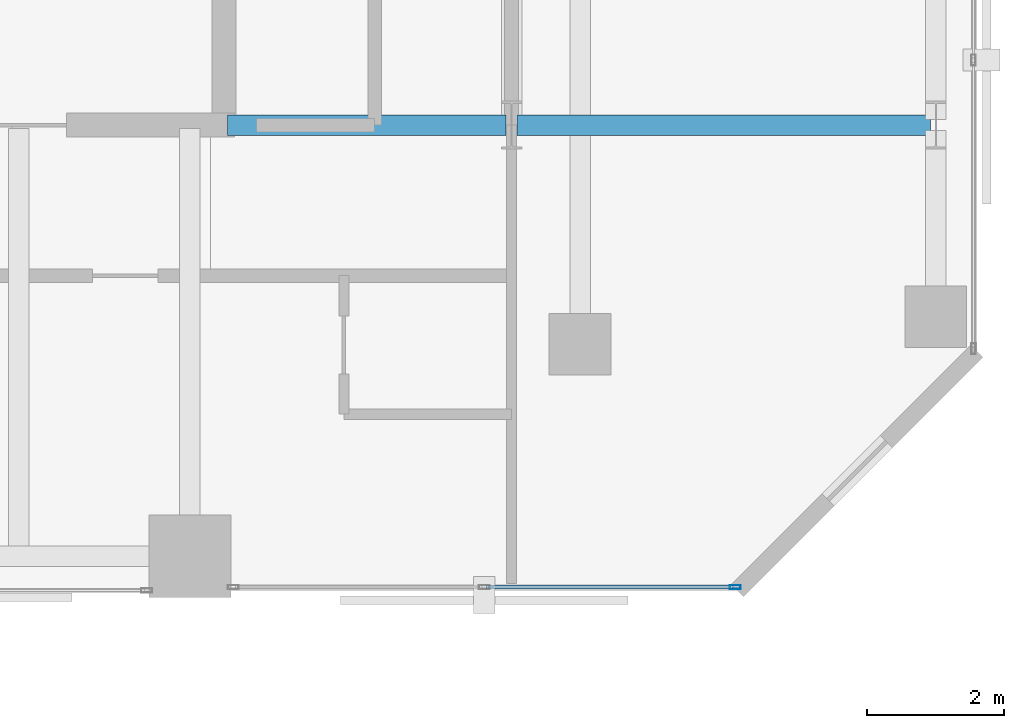
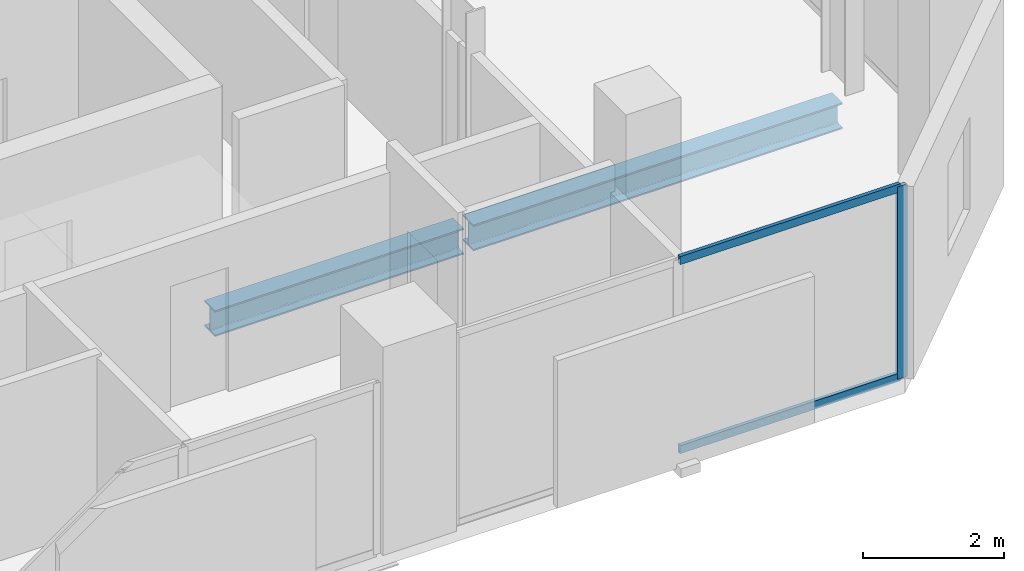
# One storey, part 15 of 33: 3 members, 2 beams, 1 element without a shape of its own.
"""IFC4 building model written with IfcOpenShell, lengths in metres."""

from ifc_helpers import new_model, si_unit, direction, frame, origin, origin_2d, place, context, subcontext, project, spatial, hollow_rectangle, i_section, extrude, material, layer, layer_set, material_profile, profile_set, type_object, element, aggregate, save


model = new_model("IFC4")

# Units and contexts
model_context = context("Model", 3, precision=1e-05, world=origin(), true_north=direction((0.0, 1.0)))
body_context = subcontext(model_context, "Body", "Model", "MODEL_VIEW")
ifc_project = project(units=[si_unit("LENGTHUNIT", "METRE"), si_unit("AREAUNIT", "SQUARE_METRE"), si_unit("VOLUMEUNIT", "CUBIC_METRE"), si_unit("PLANEANGLEUNIT", "RADIAN"), si_unit("MASSUNIT", "GRAM", prefix="KILO")], contexts=[model_context])

# Site, building, storey
site_placement = place(None, origin())
site = spatial("IfcSite", under=ifc_project, at=site_placement, CompositionType="ELEMENT")
building_placement = place(site_placement, origin())
building = spatial("IfcBuilding", under=site, at=building_placement, Name="Catumbela Crestline Tower", CompositionType="ELEMENT")
storey_placement = place(building_placement, frame((0.0, 0.0, 108.0)))
storey = spatial("IfcBuildingStorey", under=building, at=storey_placement, Name="L27", CompositionType="ELEMENT", Elevation=108.0)

# Beams
ifc_material_1 = material(Name="Structural steel S355J2", Category="steel")
ifc_material_profile_1 = material_profile(ifc_material_1, i_section(OverallWidth=0.3, OverallDepth=0.45, WebThickness=0.014, FlangeThickness=0.026, FilletRadius=0.027, at=origin_2d()), Name="HEB 450")
ifc_profile_set_1 = profile_set([ifc_material_profile_1], Name="Structural steel S355J2")
beam_type = type_object("IfcBeamType", Name="BG-HEB450", PredefinedType="BEAM", material=ifc_profile_set_1)
beam_1_placement = place(storey_placement, frame((40.05, 30.8, -0.485), z_axis=(1.0, 0.0, 0.0), x_axis=(0.0, 1.0, 0.0)))
element("IfcBeam", 1, at=beam_1_placement, inside=storey, type_object=beam_type, Name="L27 Beam BM-L27-M10", PredefinedType="BEAM", context=body_context, shape_type="SweptSolid", body=[
    extrude(i_section(OverallWidth=0.3, OverallDepth=0.45, WebThickness=0.014, FlangeThickness=0.026, FilletRadius=0.027, at=origin_2d()), origin(), (0.0, 0.0, 1.0), 4.07),
])
beam_2_placement = place(storey_placement, frame((44.28, 30.8, -0.485), z_axis=(1.0, 0.0, 0.0), x_axis=(0.0, 1.0, 0.0)))
element("IfcBeam", 2, at=beam_2_placement, inside=storey, type_object=beam_type, Name="L27 Beam BM-L27-M11", PredefinedType="BEAM", context=body_context, shape_type="SweptSolid", body=[
    extrude(i_section(OverallWidth=0.3, OverallDepth=0.45, WebThickness=0.014, FlangeThickness=0.026, FilletRadius=0.027, at=origin_2d()), origin(), (0.0, 0.0, 1.0), 6.04),
])

# Curtain wall, members
ifc_material_2 = material(Name="Aluminium alloy AW-6060-T66", Category="aluminium")
ifc_layer = layer(ifc_material_2, 0.18, Name="Aluminium alloy AW-6060-T66")
ifc_layer_set = layer_set([ifc_layer], Name="Aluminium alloy AW-6060-T66")
curtain_wall_type = type_object("IfcCurtainWallType", Name="CWU-Z2", PredefinedType="USERDEFINED", material=ifc_layer_set)
curtain_wall_placement = place(storey_placement, origin())
curtain_wall = element("IfcCurtainWall", 3, at=curtain_wall_placement, inside=storey, type_object=curtain_wall_type, Name="L27 Unitised Curtain Wall CW-L27-E3S3", ObjectType="UNITISED", PredefinedType="USERDEFINED")
ifc_material_profile_2 = material_profile(ifc_material_2, hollow_rectangle(XDim=0.06, YDim=0.16, WallThickness=0.004, at=origin_2d()), Name="ALU 160x60x4")
ifc_profile_set_2 = profile_set([ifc_material_profile_2], Name="Aluminium alloy AW-6060-T66")
member_type_1 = type_object("IfcMemberType", Name="MUL-160X60", PredefinedType="MULLION", material=ifc_profile_set_2)
member_1_placement = place(storey_placement, frame((47.4675, 24.05, 0.0), z_axis=(0.0, 0.0, 1.0), x_axis=(0.0, 1.0, 0.0)))
member_1 = element("IfcMember", 4, at=member_1_placement, type_object=member_type_1, Name="CWU-Z2 mullion 3", PredefinedType="MULLION", context=body_context, shape_type="SweptSolid", body=[
    extrude(hollow_rectangle(XDim=0.06, YDim=0.16, WallThickness=0.004, at=origin_2d()), origin(), (0.0, 0.0, 1.0), 3.33),
])
ifc_material_profile_3 = material_profile(ifc_material_2, hollow_rectangle(XDim=0.06, YDim=0.14, WallThickness=0.004, at=origin_2d()), Name="ALU 140x60x4")
ifc_profile_set_3 = profile_set([ifc_material_profile_3], Name="Aluminium alloy AW-6060-T66")
member_type_2 = type_object("IfcMemberType", Name="TRN-140X60", PredefinedType="USERDEFINED", material=ifc_profile_set_3)
member_2_placement = place(storey_placement, frame((43.8325, 24.05, 0.03), z_axis=(1.0, 0.0, 0.0), x_axis=(0.0, 1.0, 0.0)))
member_2 = element("IfcMember", 5, at=member_2_placement, type_object=member_type_2, Name="CWU-Z2 transom 2.1", ObjectType="TRANSOM", PredefinedType="USERDEFINED", context=body_context, shape_type="SweptSolid", body=[
    extrude(hollow_rectangle(XDim=0.06, YDim=0.14, WallThickness=0.004, at=origin_2d()), origin(), (0.0, 0.0, 1.0), 3.6025),
])
member_3_placement = place(storey_placement, frame((43.8325, 24.05, 3.3), z_axis=(1.0, 0.0, 0.0), x_axis=(0.0, 1.0, 0.0)))
member_3 = element("IfcMember", 6, at=member_3_placement, type_object=member_type_2, Name="CWU-Z2 transom 2.2", ObjectType="TRANSOM", PredefinedType="USERDEFINED", context=body_context, shape_type="SweptSolid", body=[
    extrude(hollow_rectangle(XDim=0.06, YDim=0.14, WallThickness=0.004, at=origin_2d()), origin(), (0.0, 0.0, 1.0), 3.6025),
])
aggregate(curtain_wall, [member_1, member_2, member_3])

save(model, "model.ifc")
